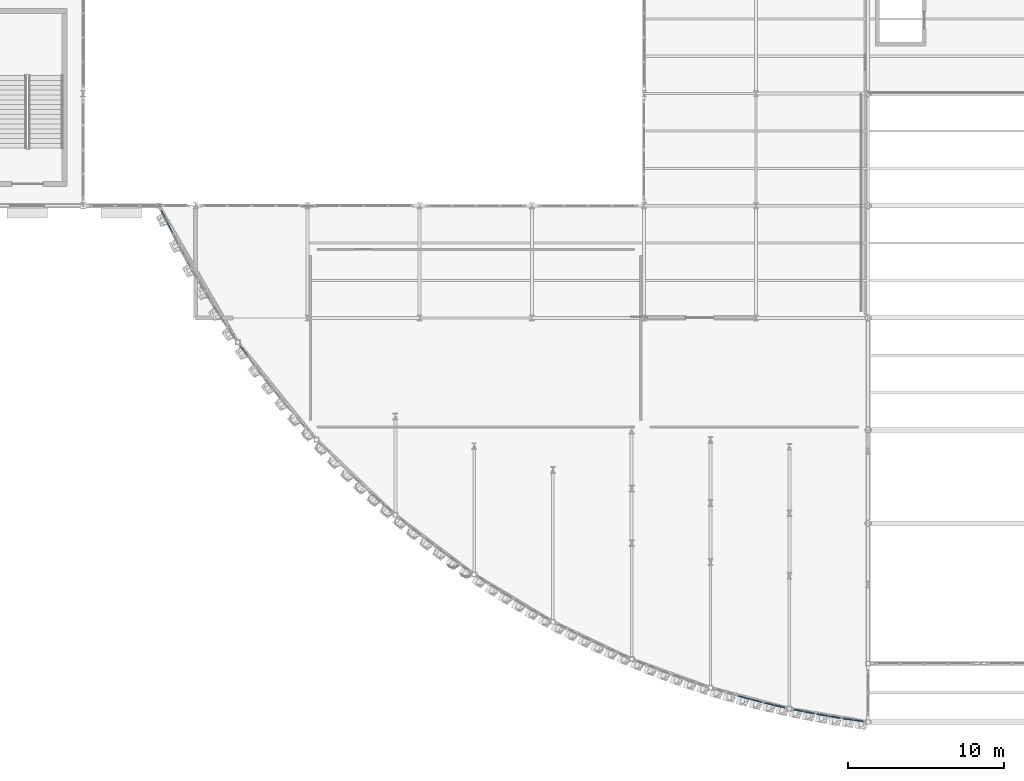
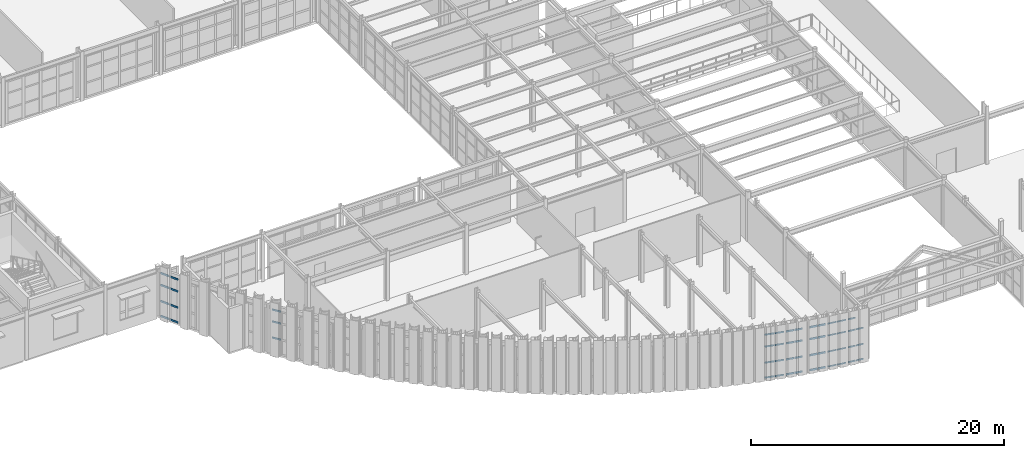
# One storey, part 74 of 126: 50 members, 7 elements without a shape of their own.
"""IFC4 building model written with IfcOpenShell, lengths in metres."""

from ifc_helpers import new_model, si_unit, direction, frame, origin, origin_2d, place, context, subcontext, project, spatial, hollow_rectangle, extrude, material, layer, layer_set, material_profile, profile_set, type_object, element, aggregate, save


model = new_model("IFC4")

# Units and contexts
model_context = context("Model", 3, precision=1e-05, world=origin(), true_north=direction((0.0, 1.0)))
body_context = subcontext(model_context, "Body", "Model", "MODEL_VIEW")
ifc_project = project(units=[si_unit("LENGTHUNIT", "METRE"), si_unit("AREAUNIT", "SQUARE_METRE"), si_unit("VOLUMEUNIT", "CUBIC_METRE"), si_unit("PLANEANGLEUNIT", "RADIAN"), si_unit("MASSUNIT", "GRAM", prefix="KILO")], contexts=[model_context])

# Site, building, storey
site_placement = place(None, origin())
site = spatial("IfcSite", under=ifc_project, at=site_placement, CompositionType="ELEMENT")
building_placement = place(site_placement, origin())
building = spatial("IfcBuilding", under=site, at=building_placement, Name="Solvadek Multi-Sports Hall", CompositionType="ELEMENT")
storey_placement = place(building_placement, frame((0.0, 0.0, 9.60009765625)))
storey = spatial("IfcBuildingStorey", under=building, at=storey_placement, Name="L02", CompositionType="ELEMENT", Elevation=9.60009765625)

# Curtain wall, members
ifc_material = material(Name="Anodised aluminium", Category="aluminium")
ifc_layer_1 = layer(ifc_material, 0.159912109375, Name="Anodised aluminium")
ifc_layer_set_1 = layer_set([ifc_layer_1], Name="Anodised aluminium")
curtain_wall_type_1 = type_object("IfcCurtainWallType", Name="ENV-CW-165X420", PredefinedType="USERDEFINED", material=ifc_layer_set_1)
curtain_wall_1_placement = place(storey_placement, origin())
curtain_wall_1 = element("IfcCurtainWall", 1, at=curtain_wall_1_placement, inside=storey, type_object=curtain_wall_type_1, Name="L02 Crescent Curved Curtain Wall #52", ObjectType="CURTAIN WALL", PredefinedType="USERDEFINED")
ifc_material_profile_1 = material_profile(ifc_material, hollow_rectangle(XDim=0.06005859375, YDim=0.1201171875, WallThickness=0.00390625, at=origin_2d()), Name="ALU-T 120x60x4")
ifc_profile_set_1 = profile_set([ifc_material_profile_1], Name="Anodised aluminium")
member_type_1 = type_object("IfcMemberType", Name="ENV-CWT-01", PredefinedType="USERDEFINED", material=ifc_profile_set_1)
member_1_placement = place(storey_placement, frame((68.719970703125, -12.247314453125, 0.02978515625), z_axis=(0.985955409534, -0.167008773452, 0.0), x_axis=(0.167008773452, 0.985955409534, 0.0)))
member_1 = element("IfcMember", 2, at=member_1_placement, type_object=member_type_1, Name="CW-25 transom 1.1", ObjectType="TRANSOM", PredefinedType="USERDEFINED", context=body_context, shape_type="SweptSolid", body=[
    extrude(hollow_rectangle(XDim=0.06005859375, YDim=0.1201171875, WallThickness=0.00390625, at=origin_2d()), origin(), (0.0, 0.0, 1.0), 0.72802734375),
])
member_2_placement = place(storey_placement, frame((68.719970703125, -12.247314453125, 1.469970703125), z_axis=(0.985955409534, -0.167008773452, 0.0), x_axis=(0.167008773452, 0.985955409534, 0.0)))
member_2 = element("IfcMember", 3, at=member_2_placement, type_object=member_type_1, Name="CW-25 transom 1.2", ObjectType="TRANSOM", PredefinedType="USERDEFINED", context=body_context, shape_type="SweptSolid", body=[
    extrude(hollow_rectangle(XDim=0.06005859375, YDim=0.1201171875, WallThickness=0.00390625, at=origin_2d()), origin(), (0.0, 0.0, 1.0), 0.72802734375),
])
member_3_placement = place(storey_placement, frame((68.719970703125, -12.247314453125, 3.02392578125), z_axis=(0.985955409534, -0.167008773452, 0.0), x_axis=(0.167008773452, 0.985955409534, 0.0)))
member_3 = element("IfcMember", 4, at=member_3_placement, type_object=member_type_1, Name="CW-25 transom 1.3", ObjectType="TRANSOM", PredefinedType="USERDEFINED", context=body_context, shape_type="SweptSolid", body=[
    extrude(hollow_rectangle(XDim=0.06005859375, YDim=0.1201171875, WallThickness=0.00390625, at=origin_2d()), origin(), (0.0, 0.0, 1.0), 0.72802734375),
])
member_4_placement = place(storey_placement, frame((68.719970703125, -12.247314453125, 4.169921875), z_axis=(0.985955409534, -0.167008773452, 0.0), x_axis=(0.167008773452, 0.985955409534, 0.0)))
member_4 = element("IfcMember", 5, at=member_4_placement, type_object=member_type_1, Name="CW-25 transom 1.4", ObjectType="TRANSOM", PredefinedType="USERDEFINED", context=body_context, shape_type="SweptSolid", body=[
    extrude(hollow_rectangle(XDim=0.06005859375, YDim=0.1201171875, WallThickness=0.00390625, at=origin_2d()), origin(), (0.0, 0.0, 1.0), 0.72802734375),
])
member_5_placement = place(storey_placement, frame((69.501708984375, -12.3798828125, 0.02978515625), z_axis=(0.985900137455, -0.167334751221, 0.0), x_axis=(0.167334751221, 0.985900137455, 0.0)))
member_5 = element("IfcMember", 6, at=member_5_placement, type_object=member_type_1, Name="CW-25 transom 2.1", ObjectType="TRANSOM", PredefinedType="USERDEFINED", context=body_context, shape_type="SweptSolid", body=[
    extrude(hollow_rectangle(XDim=0.06005859375, YDim=0.1201171875, WallThickness=0.00390625, at=origin_2d()), origin(), (0.0, 0.0, 1.0), 0.72802734375),
])
member_6_placement = place(storey_placement, frame((69.501708984375, -12.3798828125, 1.469970703125), z_axis=(0.985900137455, -0.167334751221, 0.0), x_axis=(0.167334751221, 0.985900137455, 0.0)))
member_6 = element("IfcMember", 7, at=member_6_placement, type_object=member_type_1, Name="CW-25 transom 2.2", ObjectType="TRANSOM", PredefinedType="USERDEFINED", context=body_context, shape_type="SweptSolid", body=[
    extrude(hollow_rectangle(XDim=0.06005859375, YDim=0.1201171875, WallThickness=0.00390625, at=origin_2d()), origin(), (0.0, 0.0, 1.0), 0.72802734375),
])
member_7_placement = place(storey_placement, frame((69.501708984375, -12.3798828125, 3.02392578125), z_axis=(0.985900137455, -0.167334751221, 0.0), x_axis=(0.167334751221, 0.985900137455, 0.0)))
member_7 = element("IfcMember", 8, at=member_7_placement, type_object=member_type_1, Name="CW-25 transom 2.3", ObjectType="TRANSOM", PredefinedType="USERDEFINED", context=body_context, shape_type="SweptSolid", body=[
    extrude(hollow_rectangle(XDim=0.06005859375, YDim=0.1201171875, WallThickness=0.00390625, at=origin_2d()), origin(), (0.0, 0.0, 1.0), 0.72802734375),
])
member_8_placement = place(storey_placement, frame((69.501708984375, -12.3798828125, 4.169921875), z_axis=(0.985900137455, -0.167334751221, 0.0), x_axis=(0.167334751221, 0.985900137455, 0.0)))
member_8 = element("IfcMember", 9, at=member_8_placement, type_object=member_type_1, Name="CW-25 transom 2.4", ObjectType="TRANSOM", PredefinedType="USERDEFINED", context=body_context, shape_type="SweptSolid", body=[
    extrude(hollow_rectangle(XDim=0.06005859375, YDim=0.1201171875, WallThickness=0.00390625, at=origin_2d()), origin(), (0.0, 0.0, 1.0), 0.72802734375),
])
aggregate(curtain_wall_1, [member_1, member_2, member_3, member_4, member_5, member_6, member_7, member_8])

ifc_layer_2 = layer(ifc_material, 0.159912109375, Name="Anodised aluminium")
ifc_layer_set_2 = layer_set([ifc_layer_2], Name="Anodised aluminium")
curtain_wall_type_2 = type_object("IfcCurtainWallType", Name="ENV-CW-168X420", PredefinedType="USERDEFINED", material=ifc_layer_set_2)
curtain_wall_2_placement = place(storey_placement, origin())
curtain_wall_2 = element("IfcCurtainWall", 10, at=curtain_wall_2_placement, inside=storey, type_object=curtain_wall_type_2, Name="L02 Crescent Curved Curtain Wall #46", ObjectType="CURTAIN WALL", PredefinedType="USERDEFINED")
ifc_material_profile_2 = material_profile(ifc_material, hollow_rectangle(XDim=0.06005859375, YDim=0.139892578125, WallThickness=0.00390625, at=origin_2d()), Name="ALU-T 140x60x4")
ifc_profile_set_2 = profile_set([ifc_material_profile_2], Name="Anodised aluminium")
member_type_2 = type_object("IfcMemberType", Name="ENV-CWT-02", PredefinedType="USERDEFINED", material=ifc_profile_set_2)
member_9_placement = place(storey_placement, frame((63.65283203125, -11.083740234375, 0.02978515625), z_axis=(0.967229968685, -0.253901925314, 0.0), x_axis=(0.253901925314, 0.967229968685, 0.0)))
member_9 = element("IfcMember", 11, at=member_9_placement, type_object=member_type_2, Name="CW-22 transom 1.1", ObjectType="TRANSOM", PredefinedType="USERDEFINED", context=body_context, shape_type="SweptSolid", body=[
    extrude(hollow_rectangle(XDim=0.06005859375, YDim=0.139892578125, WallThickness=0.00390625, at=origin_2d()), origin(), (0.0, 0.0, 1.0), 0.751953125),
])
member_10_placement = place(storey_placement, frame((63.65283203125, -11.083740234375, 1.469970703125), z_axis=(0.967229968685, -0.253901925314, 0.0), x_axis=(0.253901925314, 0.967229968685, 0.0)))
member_10 = element("IfcMember", 12, at=member_10_placement, type_object=member_type_2, Name="CW-22 transom 1.2", ObjectType="TRANSOM", PredefinedType="USERDEFINED", context=body_context, shape_type="SweptSolid", body=[
    extrude(hollow_rectangle(XDim=0.06005859375, YDim=0.139892578125, WallThickness=0.00390625, at=origin_2d()), origin(), (0.0, 0.0, 1.0), 0.751953125),
])
member_11_placement = place(storey_placement, frame((63.65283203125, -11.083740234375, 3.02392578125), z_axis=(0.967229968685, -0.253901925314, 0.0), x_axis=(0.253901925314, 0.967229968685, 0.0)))
member_11 = element("IfcMember", 13, at=member_11_placement, type_object=member_type_2, Name="CW-22 transom 1.3", ObjectType="TRANSOM", PredefinedType="USERDEFINED", context=body_context, shape_type="SweptSolid", body=[
    extrude(hollow_rectangle(XDim=0.06005859375, YDim=0.139892578125, WallThickness=0.00390625, at=origin_2d()), origin(), (0.0, 0.0, 1.0), 0.751953125),
])
member_12_placement = place(storey_placement, frame((63.65283203125, -11.083740234375, 4.169921875), z_axis=(0.967229968685, -0.253901925314, 0.0), x_axis=(0.253901925314, 0.967229968685, 0.0)))
member_12 = element("IfcMember", 14, at=member_12_placement, type_object=member_type_2, Name="CW-22 transom 1.4", ObjectType="TRANSOM", PredefinedType="USERDEFINED", context=body_context, shape_type="SweptSolid", body=[
    extrude(hollow_rectangle(XDim=0.06005859375, YDim=0.139892578125, WallThickness=0.00390625, at=origin_2d()), origin(), (0.0, 0.0, 1.0), 0.751953125),
])
member_13_placement = place(storey_placement, frame((64.438232421875, -11.2900390625, 0.02978515625), z_axis=(0.967150191476, -0.254205639451, 0.0), x_axis=(0.254205639451, 0.967150191476, 0.0)))
member_13 = element("IfcMember", 15, at=member_13_placement, type_object=member_type_2, Name="CW-22 transom 2.1", ObjectType="TRANSOM", PredefinedType="USERDEFINED", context=body_context, shape_type="SweptSolid", body=[
    extrude(hollow_rectangle(XDim=0.06005859375, YDim=0.139892578125, WallThickness=0.00390625, at=origin_2d()), origin(), (0.0, 0.0, 1.0), 0.751953125),
])
member_14_placement = place(storey_placement, frame((64.438232421875, -11.2900390625, 1.469970703125), z_axis=(0.967150191476, -0.254205639451, 0.0), x_axis=(0.254205639451, 0.967150191476, 0.0)))
member_14 = element("IfcMember", 16, at=member_14_placement, type_object=member_type_2, Name="CW-22 transom 2.2", ObjectType="TRANSOM", PredefinedType="USERDEFINED", context=body_context, shape_type="SweptSolid", body=[
    extrude(hollow_rectangle(XDim=0.06005859375, YDim=0.139892578125, WallThickness=0.00390625, at=origin_2d()), origin(), (0.0, 0.0, 1.0), 0.751953125),
])
member_15_placement = place(storey_placement, frame((64.438232421875, -11.2900390625, 3.02392578125), z_axis=(0.967150191476, -0.254205639451, 0.0), x_axis=(0.254205639451, 0.967150191476, 0.0)))
member_15 = element("IfcMember", 17, at=member_15_placement, type_object=member_type_2, Name="CW-22 transom 2.3", ObjectType="TRANSOM", PredefinedType="USERDEFINED", context=body_context, shape_type="SweptSolid", body=[
    extrude(hollow_rectangle(XDim=0.06005859375, YDim=0.139892578125, WallThickness=0.00390625, at=origin_2d()), origin(), (0.0, 0.0, 1.0), 0.751953125),
])
member_16_placement = place(storey_placement, frame((64.438232421875, -11.2900390625, 4.169921875), z_axis=(0.967150191476, -0.254205639451, 0.0), x_axis=(0.254205639451, 0.967150191476, 0.0)))
member_16 = element("IfcMember", 18, at=member_16_placement, type_object=member_type_2, Name="CW-22 transom 2.4", ObjectType="TRANSOM", PredefinedType="USERDEFINED", context=body_context, shape_type="SweptSolid", body=[
    extrude(hollow_rectangle(XDim=0.06005859375, YDim=0.139892578125, WallThickness=0.00390625, at=origin_2d()), origin(), (0.0, 0.0, 1.0), 0.751953125),
])
aggregate(curtain_wall_2, [member_9, member_10, member_11, member_12, member_13, member_14, member_15, member_16])

ifc_layer_3 = layer(ifc_material, 0.159912109375, Name="Anodised aluminium")
ifc_layer_set_3 = layer_set([ifc_layer_3], Name="Anodised aluminium")
curtain_wall_type_3 = type_object("IfcCurtainWallType", Name="ENV-CW-143X420", PredefinedType="USERDEFINED", material=ifc_layer_set_3)
curtain_wall_3_placement = place(storey_placement, origin())
curtain_wall_3 = element("IfcCurtainWall", 19, at=curtain_wall_3_placement, inside=storey, type_object=curtain_wall_type_3, Name="L02 Crescent Curved Curtain Wall #54", ObjectType="CURTAIN WALL", PredefinedType="USERDEFINED")
member_17_placement = place(storey_placement, frame((70.412109375, -12.53125, 0.02978515625), z_axis=(0.99041505799, -0.138123180195, 0.0), x_axis=(0.138123180195, 0.99041505799, 0.0)))
member_17 = element("IfcMember", 20, at=member_17_placement, type_object=member_type_2, Name="CW-26 transom 1.1", ObjectType="TRANSOM", PredefinedType="USERDEFINED", context=body_context, shape_type="SweptSolid", body=[
    extrude(hollow_rectangle(XDim=0.06005859375, YDim=0.139892578125, WallThickness=0.00390625, at=origin_2d()), origin(), (0.0, 0.0, 1.0), 0.611572265625),
])
member_18_placement = place(storey_placement, frame((70.412109375, -12.53125, 1.469970703125), z_axis=(0.99041505799, -0.138123180195, 0.0), x_axis=(0.138123180195, 0.99041505799, 0.0)))
member_18 = element("IfcMember", 21, at=member_18_placement, type_object=member_type_2, Name="CW-26 transom 1.2", ObjectType="TRANSOM", PredefinedType="USERDEFINED", context=body_context, shape_type="SweptSolid", body=[
    extrude(hollow_rectangle(XDim=0.06005859375, YDim=0.139892578125, WallThickness=0.00390625, at=origin_2d()), origin(), (0.0, 0.0, 1.0), 0.611572265625),
])
member_19_placement = place(storey_placement, frame((70.412109375, -12.53125, 3.02392578125), z_axis=(0.99041505799, -0.138123180195, 0.0), x_axis=(0.138123180195, 0.99041505799, 0.0)))
member_19 = element("IfcMember", 22, at=member_19_placement, type_object=member_type_2, Name="CW-26 transom 1.3", ObjectType="TRANSOM", PredefinedType="USERDEFINED", context=body_context, shape_type="SweptSolid", body=[
    extrude(hollow_rectangle(XDim=0.06005859375, YDim=0.139892578125, WallThickness=0.00390625, at=origin_2d()), origin(), (0.0, 0.0, 1.0), 0.611572265625),
])
member_20_placement = place(storey_placement, frame((70.412109375, -12.53125, 4.169921875), z_axis=(0.99041505799, -0.138123180195, 0.0), x_axis=(0.138123180195, 0.99041505799, 0.0)))
member_20 = element("IfcMember", 23, at=member_20_placement, type_object=member_type_2, Name="CW-26 transom 1.4", ObjectType="TRANSOM", PredefinedType="USERDEFINED", context=body_context, shape_type="SweptSolid", body=[
    extrude(hollow_rectangle(XDim=0.06005859375, YDim=0.139892578125, WallThickness=0.00390625, at=origin_2d()), origin(), (0.0, 0.0, 1.0), 0.611572265625),
])
member_21_placement = place(storey_placement, frame((71.087158203125, -12.62548828125, 0.02978515625), z_axis=(0.99041505799, -0.138123180195, 0.0), x_axis=(0.138123180195, 0.99041505799, 0.0)))
member_21 = element("IfcMember", 24, at=member_21_placement, type_object=member_type_2, Name="CW-26 transom 2.1", ObjectType="TRANSOM", PredefinedType="USERDEFINED", context=body_context, shape_type="SweptSolid", body=[
    extrude(hollow_rectangle(XDim=0.06005859375, YDim=0.139892578125, WallThickness=0.00390625, at=origin_2d()), origin(), (0.0, 0.0, 1.0), 0.611572265625),
])
member_22_placement = place(storey_placement, frame((71.087158203125, -12.62548828125, 1.469970703125), z_axis=(0.99041505799, -0.138123180195, 0.0), x_axis=(0.138123180195, 0.99041505799, 0.0)))
member_22 = element("IfcMember", 25, at=member_22_placement, type_object=member_type_2, Name="CW-26 transom 2.2", ObjectType="TRANSOM", PredefinedType="USERDEFINED", context=body_context, shape_type="SweptSolid", body=[
    extrude(hollow_rectangle(XDim=0.06005859375, YDim=0.139892578125, WallThickness=0.00390625, at=origin_2d()), origin(), (0.0, 0.0, 1.0), 0.611572265625),
])
member_23_placement = place(storey_placement, frame((71.087158203125, -12.62548828125, 3.02392578125), z_axis=(0.99041505799, -0.138123180195, 0.0), x_axis=(0.138123180195, 0.99041505799, 0.0)))
member_23 = element("IfcMember", 26, at=member_23_placement, type_object=member_type_2, Name="CW-26 transom 2.3", ObjectType="TRANSOM", PredefinedType="USERDEFINED", context=body_context, shape_type="SweptSolid", body=[
    extrude(hollow_rectangle(XDim=0.06005859375, YDim=0.139892578125, WallThickness=0.00390625, at=origin_2d()), origin(), (0.0, 0.0, 1.0), 0.611572265625),
])
aggregate(curtain_wall_3, [member_17, member_18, member_19, member_20, member_21, member_22, member_23])

ifc_layer_4 = layer(ifc_material, 0.159912109375, Name="Anodised aluminium")
ifc_layer_set_4 = layer_set([ifc_layer_4], Name="Anodised aluminium")
curtain_wall_type_4 = type_object("IfcCurtainWallType", Name="ENV-CW-257X420", PredefinedType="USERDEFINED", material=ifc_layer_set_4)
curtain_wall_4_placement = place(storey_placement, origin())
curtain_wall_4 = element("IfcCurtainWall", 27, at=curtain_wall_4_placement, inside=storey, type_object=curtain_wall_type_4, Name="L02 Crescent Curved Curtain Wall #8", ObjectType="CURTAIN WALL", PredefinedType="USERDEFINED")
ifc_material_profile_3 = material_profile(ifc_material, hollow_rectangle(XDim=0.06494140625, YDim=0.159912109375, WallThickness=0.00390625, at=origin_2d()), Name="ALU-T 160x65x4")
ifc_profile_set_3 = profile_set([ifc_material_profile_3], Name="Anodised aluminium")
member_type_3 = type_object("IfcMemberType", Name="ENV-CWT-03", PredefinedType="USERDEFINED", material=ifc_profile_set_3)
member_24_placement = place(storey_placement, frame((31.693115234375, 11.390869140625, 1.469970703125), z_axis=(0.593264106904, -0.805007887824, 0.0), x_axis=(0.805007887824, 0.593264106904, 0.0)))
member_24 = element("IfcMember", 28, at=member_24_placement, type_object=member_type_3, Name="CW-04 transom 1.2", ObjectType="TRANSOM", PredefinedType="USERDEFINED", context=body_context, shape_type="SweptSolid", body=[
    extrude(hollow_rectangle(XDim=0.06494140625, YDim=0.159912109375, WallThickness=0.00390625, at=origin_2d()), origin(), (0.0, 0.0, 1.0), 0.767822265625),
])
member_25_placement = place(storey_placement, frame((31.693115234375, 11.390869140625, 3.02392578125), z_axis=(0.593264106904, -0.805007887824, 0.0), x_axis=(0.805007887824, 0.593264106904, 0.0)))
member_25 = element("IfcMember", 29, at=member_25_placement, type_object=member_type_3, Name="CW-04 transom 1.3", ObjectType="TRANSOM", PredefinedType="USERDEFINED", context=body_context, shape_type="SweptSolid", body=[
    extrude(hollow_rectangle(XDim=0.06494140625, YDim=0.159912109375, WallThickness=0.00390625, at=origin_2d()), origin(), (0.0, 0.0, 1.0), 0.767822265625),
])
member_26_placement = place(storey_placement, frame((31.693115234375, 11.390869140625, 4.16748046875), z_axis=(0.593264106904, -0.805007887824, 0.0), x_axis=(0.805007887824, 0.593264106904, 0.0)))
member_26 = element("IfcMember", 30, at=member_26_placement, type_object=member_type_3, Name="CW-04 transom 1.4", ObjectType="TRANSOM", PredefinedType="USERDEFINED", context=body_context, shape_type="SweptSolid", body=[
    extrude(hollow_rectangle(XDim=0.06494140625, YDim=0.159912109375, WallThickness=0.00390625, at=origin_2d()), origin(), (0.0, 0.0, 1.0), 0.767822265625),
])
aggregate(curtain_wall_4, [member_24, member_25, member_26])

ifc_layer_5 = layer(ifc_material, 0.159912109375, Name="Anodised aluminium")
ifc_layer_set_5 = layer_set([ifc_layer_5], Name="Anodised aluminium")
curtain_wall_type_5 = type_object("IfcCurtainWallType", Name="ENV-CW-146X420", PredefinedType="USERDEFINED", material=ifc_layer_set_5)
curtain_wall_5_placement = place(storey_placement, origin())
curtain_wall_5 = element("IfcCurtainWall", 31, at=curtain_wall_5_placement, inside=storey, type_object=curtain_wall_type_5, Name="L02 Crescent Curved Curtain Wall #48", ObjectType="CURTAIN WALL", PredefinedType="USERDEFINED")
member_27_placement = place(storey_placement, frame((65.340087890625, -11.5244140625, 0.032470703125), z_axis=(0.974314074612, -0.225193436878, 0.0), x_axis=(0.225193436878, 0.974314074612, 0.0)))
member_27 = element("IfcMember", 32, at=member_27_placement, type_object=member_type_3, Name="CW-23 transom 1.1", ObjectType="TRANSOM", PredefinedType="USERDEFINED", context=body_context, shape_type="SweptSolid", body=[
    extrude(hollow_rectangle(XDim=0.06494140625, YDim=0.159912109375, WallThickness=0.00390625, at=origin_2d()), origin(), (0.0, 0.0, 1.0), 0.640625),
])
member_28_placement = place(storey_placement, frame((65.340087890625, -11.5244140625, 1.469970703125), z_axis=(0.974314074612, -0.225193436878, 0.0), x_axis=(0.225193436878, 0.974314074612, 0.0)))
member_28 = element("IfcMember", 33, at=member_28_placement, type_object=member_type_3, Name="CW-23 transom 1.2", ObjectType="TRANSOM", PredefinedType="USERDEFINED", context=body_context, shape_type="SweptSolid", body=[
    extrude(hollow_rectangle(XDim=0.06494140625, YDim=0.159912109375, WallThickness=0.00390625, at=origin_2d()), origin(), (0.0, 0.0, 1.0), 0.640625),
])
member_29_placement = place(storey_placement, frame((65.340087890625, -11.5244140625, 3.02392578125), z_axis=(0.974314074612, -0.225193436878, 0.0), x_axis=(0.225193436878, 0.974314074612, 0.0)))
member_29 = element("IfcMember", 34, at=member_29_placement, type_object=member_type_3, Name="CW-23 transom 1.3", ObjectType="TRANSOM", PredefinedType="USERDEFINED", context=body_context, shape_type="SweptSolid", body=[
    extrude(hollow_rectangle(XDim=0.06494140625, YDim=0.159912109375, WallThickness=0.00390625, at=origin_2d()), origin(), (0.0, 0.0, 1.0), 0.640625),
])
member_30_placement = place(storey_placement, frame((65.340087890625, -11.5244140625, 4.16748046875), z_axis=(0.974314074612, -0.225193436878, 0.0), x_axis=(0.225193436878, 0.974314074612, 0.0)))
member_30 = element("IfcMember", 35, at=member_30_placement, type_object=member_type_3, Name="CW-23 transom 1.4", ObjectType="TRANSOM", PredefinedType="USERDEFINED", context=body_context, shape_type="SweptSolid", body=[
    extrude(hollow_rectangle(XDim=0.06494140625, YDim=0.159912109375, WallThickness=0.00390625, at=origin_2d()), origin(), (0.0, 0.0, 1.0), 0.640625),
])
member_31_placement = place(storey_placement, frame((66.02294921875, -11.68212890625, 0.032470703125), z_axis=(0.974314074612, -0.225193436878, 0.0), x_axis=(0.225193436878, 0.974314074612, 0.0)))
member_31 = element("IfcMember", 36, at=member_31_placement, type_object=member_type_3, Name="CW-23 transom 2.1", ObjectType="TRANSOM", PredefinedType="USERDEFINED", context=body_context, shape_type="SweptSolid", body=[
    extrude(hollow_rectangle(XDim=0.06494140625, YDim=0.159912109375, WallThickness=0.00390625, at=origin_2d()), origin(), (0.0, 0.0, 1.0), 0.640625),
])
member_32_placement = place(storey_placement, frame((66.02294921875, -11.68212890625, 1.469970703125), z_axis=(0.974314074612, -0.225193436878, 0.0), x_axis=(0.225193436878, 0.974314074612, 0.0)))
member_32 = element("IfcMember", 37, at=member_32_placement, type_object=member_type_3, Name="CW-23 transom 2.2", ObjectType="TRANSOM", PredefinedType="USERDEFINED", context=body_context, shape_type="SweptSolid", body=[
    extrude(hollow_rectangle(XDim=0.06494140625, YDim=0.159912109375, WallThickness=0.00390625, at=origin_2d()), origin(), (0.0, 0.0, 1.0), 0.640625),
])
member_33_placement = place(storey_placement, frame((66.02294921875, -11.68212890625, 3.02392578125), z_axis=(0.974314074612, -0.225193436878, 0.0), x_axis=(0.225193436878, 0.974314074612, 0.0)))
member_33 = element("IfcMember", 38, at=member_33_placement, type_object=member_type_3, Name="CW-23 transom 2.3", ObjectType="TRANSOM", PredefinedType="USERDEFINED", context=body_context, shape_type="SweptSolid", body=[
    extrude(hollow_rectangle(XDim=0.06494140625, YDim=0.159912109375, WallThickness=0.00390625, at=origin_2d()), origin(), (0.0, 0.0, 1.0), 0.640625),
])
member_34_placement = place(storey_placement, frame((66.02294921875, -11.68212890625, 4.16748046875), z_axis=(0.974314074612, -0.225193436878, 0.0), x_axis=(0.225193436878, 0.974314074612, 0.0)))
member_34 = element("IfcMember", 39, at=member_34_placement, type_object=member_type_3, Name="CW-23 transom 2.4", ObjectType="TRANSOM", PredefinedType="USERDEFINED", context=body_context, shape_type="SweptSolid", body=[
    extrude(hollow_rectangle(XDim=0.06494140625, YDim=0.159912109375, WallThickness=0.00390625, at=origin_2d()), origin(), (0.0, 0.0, 1.0), 0.640625),
])
aggregate(curtain_wall_5, [member_27, member_28, member_29, member_30, member_31, member_32, member_33, member_34])

ifc_layer_6 = layer(ifc_material, 0.159912109375, Name="Anodised aluminium")
ifc_layer_set_6 = layer_set([ifc_layer_6], Name="Anodised aluminium")
curtain_wall_type_6 = type_object("IfcCurtainWallType", Name="ENV-CW-347X420", PredefinedType="USERDEFINED", material=ifc_layer_set_6)
curtain_wall_6_placement = place(storey_placement, origin())
curtain_wall_6 = element("IfcCurtainWall", 40, at=curtain_wall_6_placement, inside=storey, type_object=curtain_wall_type_6, Name="L02 Crescent Curved Curtain Wall #2", ObjectType="CURTAIN WALL", PredefinedType="USERDEFINED")
ifc_material_profile_4 = material_profile(ifc_material, hollow_rectangle(XDim=0.06494140625, YDim=0.179931640625, WallThickness=0.0048828125, at=origin_2d()), Name="ALU-T 180x65x5")
ifc_profile_set_4 = profile_set([ifc_material_profile_4], Name="Anodised aluminium")
member_type_4 = type_object("IfcMemberType", Name="ENV-CWT-04", PredefinedType="USERDEFINED", material=ifc_profile_set_4)
member_35_placement = place(storey_placement, frame((26.59228515625, 20.127685546875, 0.032470703125), z_axis=(0.451526782643, -0.892257566264, 0.0), x_axis=(0.892257566264, 0.451526782643, 0.0)))
member_35 = element("IfcMember", 41, at=member_35_placement, type_object=member_type_4, Name="CW-01 transom 1.1", ObjectType="TRANSOM", PredefinedType="USERDEFINED", context=body_context, shape_type="SweptSolid", body=[
    extrude(hollow_rectangle(XDim=0.06494140625, YDim=0.179931640625, WallThickness=0.0048828125, at=origin_2d()), origin(), (0.0, 0.0, 1.0), 0.768798828125),
])
member_36_placement = place(storey_placement, frame((26.59228515625, 20.127685546875, 1.469970703125), z_axis=(0.451526782643, -0.892257566264, 0.0), x_axis=(0.892257566264, 0.451526782643, 0.0)))
member_36 = element("IfcMember", 42, at=member_36_placement, type_object=member_type_4, Name="CW-01 transom 1.2", ObjectType="TRANSOM", PredefinedType="USERDEFINED", context=body_context, shape_type="SweptSolid", body=[
    extrude(hollow_rectangle(XDim=0.06494140625, YDim=0.179931640625, WallThickness=0.0048828125, at=origin_2d()), origin(), (0.0, 0.0, 1.0), 0.768798828125),
])
member_37_placement = place(storey_placement, frame((26.59228515625, 20.127685546875, 3.02392578125), z_axis=(0.451526782643, -0.892257566264, 0.0), x_axis=(0.892257566264, 0.451526782643, 0.0)))
member_37 = element("IfcMember", 43, at=member_37_placement, type_object=member_type_4, Name="CW-01 transom 1.3", ObjectType="TRANSOM", PredefinedType="USERDEFINED", context=body_context, shape_type="SweptSolid", body=[
    extrude(hollow_rectangle(XDim=0.06494140625, YDim=0.179931640625, WallThickness=0.0048828125, at=origin_2d()), origin(), (0.0, 0.0, 1.0), 0.768798828125),
])
member_38_placement = place(storey_placement, frame((26.59228515625, 20.127685546875, 4.16748046875), z_axis=(0.451526782643, -0.892257566264, 0.0), x_axis=(0.892257566264, 0.451526782643, 0.0)))
member_38 = element("IfcMember", 44, at=member_38_placement, type_object=member_type_4, Name="CW-01 transom 1.4", ObjectType="TRANSOM", PredefinedType="USERDEFINED", context=body_context, shape_type="SweptSolid", body=[
    extrude(hollow_rectangle(XDim=0.06494140625, YDim=0.179931640625, WallThickness=0.0048828125, at=origin_2d()), origin(), (0.0, 0.0, 1.0), 0.768798828125),
])
member_39_placement = place(storey_placement, frame((26.968994140625, 19.3837890625, 0.032470703125), z_axis=(0.451473442619, -0.892284556971, 0.0), x_axis=(0.892284556971, 0.451473442619, 0.0)))
member_39 = element("IfcMember", 45, at=member_39_placement, type_object=member_type_4, Name="CW-01 transom 2.1", ObjectType="TRANSOM", PredefinedType="USERDEFINED", context=body_context, shape_type="SweptSolid", body=[
    extrude(hollow_rectangle(XDim=0.06494140625, YDim=0.179931640625, WallThickness=0.0048828125, at=origin_2d()), origin(), (0.0, 0.0, 1.0), 0.801513671875),
])
member_40_placement = place(storey_placement, frame((26.968994140625, 19.3837890625, 1.469970703125), z_axis=(0.451473442619, -0.892284556971, 0.0), x_axis=(0.892284556971, 0.451473442619, 0.0)))
member_40 = element("IfcMember", 46, at=member_40_placement, type_object=member_type_4, Name="CW-01 transom 2.2", ObjectType="TRANSOM", PredefinedType="USERDEFINED", context=body_context, shape_type="SweptSolid", body=[
    extrude(hollow_rectangle(XDim=0.06494140625, YDim=0.179931640625, WallThickness=0.0048828125, at=origin_2d()), origin(), (0.0, 0.0, 1.0), 0.801513671875),
])
member_41_placement = place(storey_placement, frame((26.968994140625, 19.3837890625, 3.02392578125), z_axis=(0.451473442619, -0.892284556971, 0.0), x_axis=(0.892284556971, 0.451473442619, 0.0)))
member_41 = element("IfcMember", 47, at=member_41_placement, type_object=member_type_4, Name="CW-01 transom 2.3", ObjectType="TRANSOM", PredefinedType="USERDEFINED", context=body_context, shape_type="SweptSolid", body=[
    extrude(hollow_rectangle(XDim=0.06494140625, YDim=0.179931640625, WallThickness=0.0048828125, at=origin_2d()), origin(), (0.0, 0.0, 1.0), 0.801513671875),
])
member_42_placement = place(storey_placement, frame((26.968994140625, 19.3837890625, 4.16748046875), z_axis=(0.451473442619, -0.892284556971, 0.0), x_axis=(0.892284556971, 0.451473442619, 0.0)))
member_42 = element("IfcMember", 48, at=member_42_placement, type_object=member_type_4, Name="CW-01 transom 2.4", ObjectType="TRANSOM", PredefinedType="USERDEFINED", context=body_context, shape_type="SweptSolid", body=[
    extrude(hollow_rectangle(XDim=0.06494140625, YDim=0.179931640625, WallThickness=0.0048828125, at=origin_2d()), origin(), (0.0, 0.0, 1.0), 0.801513671875),
])
aggregate(curtain_wall_6, [member_35, member_36, member_37, member_38, member_39, member_40, member_41, member_42])

ifc_layer_7 = layer(ifc_material, 0.159912109375, Name="Anodised aluminium")
ifc_layer_set_7 = layer_set([ifc_layer_7], Name="Anodised aluminium")
curtain_wall_type_7 = type_object("IfcCurtainWallType", Name="ENV-CW-145X420", PredefinedType="USERDEFINED", material=ifc_layer_set_7)
curtain_wall_7_placement = place(storey_placement, origin())
curtain_wall_7 = element("IfcCurtainWall", 49, at=curtain_wall_7_placement, inside=storey, type_object=curtain_wall_type_7, Name="L02 Crescent Curved Curtain Wall #50", ObjectType="CURTAIN WALL", PredefinedType="USERDEFINED")
member_43_placement = place(storey_placement, frame((67.238525390625, -11.953857421875, 0.032470703125), z_axis=(0.980595633257, -0.196041332472, 0.0), x_axis=(0.196041332472, 0.980595633257, 0.0)))
member_43 = element("IfcMember", 50, at=member_43_placement, type_object=member_type_4, Name="CW-24 transom 1.1", ObjectType="TRANSOM", PredefinedType="USERDEFINED", context=body_context, shape_type="SweptSolid", body=[
    extrude(hollow_rectangle(XDim=0.06494140625, YDim=0.179931640625, WallThickness=0.0048828125, at=origin_2d()), origin(), (0.0, 0.0, 1.0), 0.627685546875),
])
member_44_placement = place(storey_placement, frame((67.238525390625, -11.953857421875, 1.469970703125), z_axis=(0.980595633257, -0.196041332472, 0.0), x_axis=(0.196041332472, 0.980595633257, 0.0)))
member_44 = element("IfcMember", 51, at=member_44_placement, type_object=member_type_4, Name="CW-24 transom 1.2", ObjectType="TRANSOM", PredefinedType="USERDEFINED", context=body_context, shape_type="SweptSolid", body=[
    extrude(hollow_rectangle(XDim=0.06494140625, YDim=0.179931640625, WallThickness=0.0048828125, at=origin_2d()), origin(), (0.0, 0.0, 1.0), 0.627685546875),
])
member_45_placement = place(storey_placement, frame((67.238525390625, -11.953857421875, 3.02392578125), z_axis=(0.980595633257, -0.196041332472, 0.0), x_axis=(0.196041332472, 0.980595633257, 0.0)))
member_45 = element("IfcMember", 52, at=member_45_placement, type_object=member_type_4, Name="CW-24 transom 1.3", ObjectType="TRANSOM", PredefinedType="USERDEFINED", context=body_context, shape_type="SweptSolid", body=[
    extrude(hollow_rectangle(XDim=0.06494140625, YDim=0.179931640625, WallThickness=0.0048828125, at=origin_2d()), origin(), (0.0, 0.0, 1.0), 0.627685546875),
])
member_46_placement = place(storey_placement, frame((67.238525390625, -11.953857421875, 4.16748046875), z_axis=(0.980595633257, -0.196041332472, 0.0), x_axis=(0.196041332472, 0.980595633257, 0.0)))
member_46 = element("IfcMember", 53, at=member_46_placement, type_object=member_type_4, Name="CW-24 transom 1.4", ObjectType="TRANSOM", PredefinedType="USERDEFINED", context=body_context, shape_type="SweptSolid", body=[
    extrude(hollow_rectangle(XDim=0.06494140625, YDim=0.179931640625, WallThickness=0.0048828125, at=origin_2d()), origin(), (0.0, 0.0, 1.0), 0.627685546875),
])
member_47_placement = place(storey_placement, frame((67.917724609375, -12.089599609375, 0.032470703125), z_axis=(0.980595633257, -0.196041332472, 0.0), x_axis=(0.196041332472, 0.980595633257, 0.0)))
member_47 = element("IfcMember", 54, at=member_47_placement, type_object=member_type_4, Name="CW-24 transom 2.1", ObjectType="TRANSOM", PredefinedType="USERDEFINED", context=body_context, shape_type="SweptSolid", body=[
    extrude(hollow_rectangle(XDim=0.06494140625, YDim=0.179931640625, WallThickness=0.0048828125, at=origin_2d()), origin(), (0.0, 0.0, 1.0), 0.627685546875),
])
member_48_placement = place(storey_placement, frame((67.917724609375, -12.089599609375, 1.469970703125), z_axis=(0.980595633257, -0.196041332472, 0.0), x_axis=(0.196041332472, 0.980595633257, 0.0)))
member_48 = element("IfcMember", 55, at=member_48_placement, type_object=member_type_4, Name="CW-24 transom 2.2", ObjectType="TRANSOM", PredefinedType="USERDEFINED", context=body_context, shape_type="SweptSolid", body=[
    extrude(hollow_rectangle(XDim=0.06494140625, YDim=0.179931640625, WallThickness=0.0048828125, at=origin_2d()), origin(), (0.0, 0.0, 1.0), 0.627685546875),
])
member_49_placement = place(storey_placement, frame((67.917724609375, -12.089599609375, 3.02392578125), z_axis=(0.980595633257, -0.196041332472, 0.0), x_axis=(0.196041332472, 0.980595633257, 0.0)))
member_49 = element("IfcMember", 56, at=member_49_placement, type_object=member_type_4, Name="CW-24 transom 2.3", ObjectType="TRANSOM", PredefinedType="USERDEFINED", context=body_context, shape_type="SweptSolid", body=[
    extrude(hollow_rectangle(XDim=0.06494140625, YDim=0.179931640625, WallThickness=0.0048828125, at=origin_2d()), origin(), (0.0, 0.0, 1.0), 0.627685546875),
])
member_50_placement = place(storey_placement, frame((67.917724609375, -12.089599609375, 4.16748046875), z_axis=(0.980595633257, -0.196041332472, 0.0), x_axis=(0.196041332472, 0.980595633257, 0.0)))
member_50 = element("IfcMember", 57, at=member_50_placement, type_object=member_type_4, Name="CW-24 transom 2.4", ObjectType="TRANSOM", PredefinedType="USERDEFINED", context=body_context, shape_type="SweptSolid", body=[
    extrude(hollow_rectangle(XDim=0.06494140625, YDim=0.179931640625, WallThickness=0.0048828125, at=origin_2d()), origin(), (0.0, 0.0, 1.0), 0.627685546875),
])
aggregate(curtain_wall_7, [member_43, member_44, member_45, member_46, member_47, member_48, member_49, member_50])

save(model, "model.ifc")
